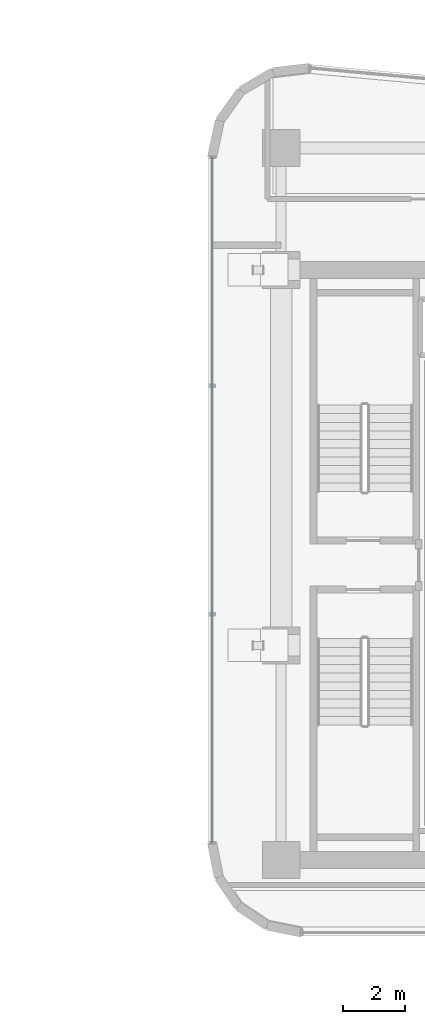
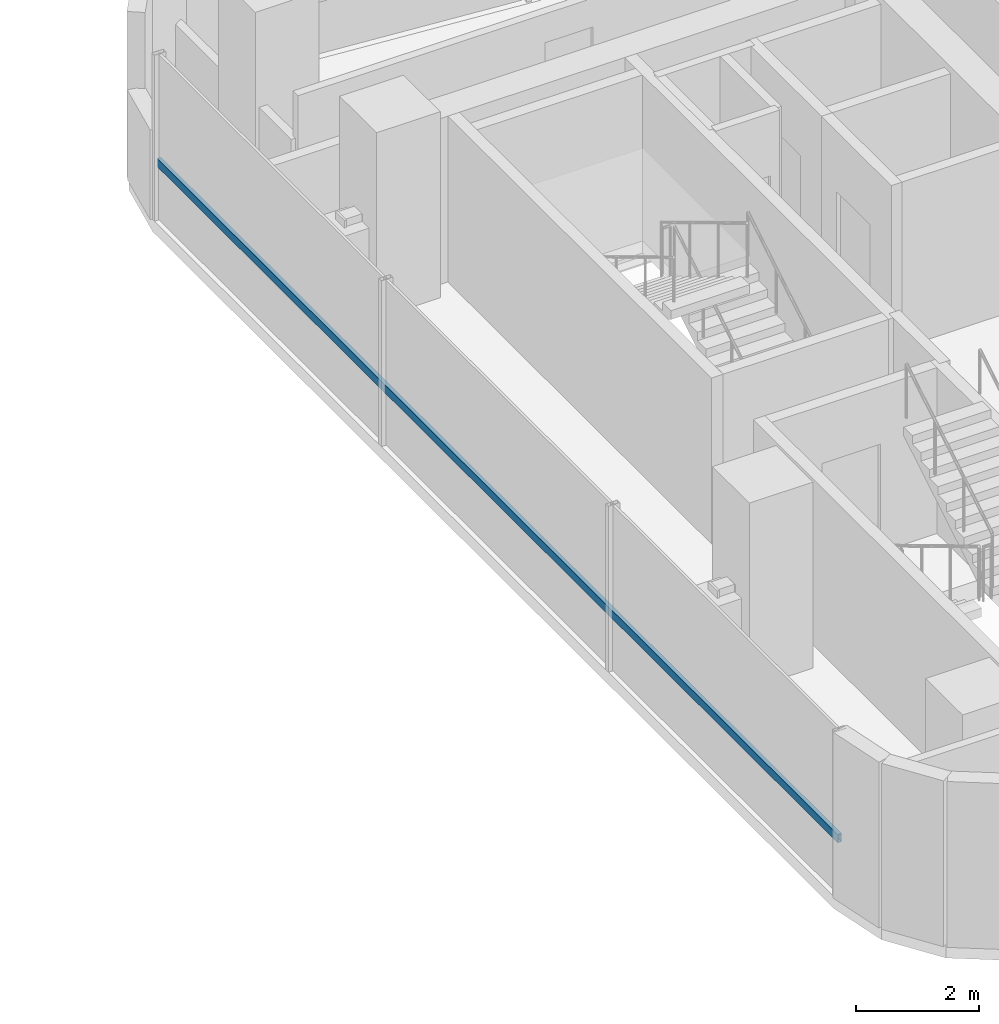
# One storey, part 15 of 35: 1 member, 1 element without a shape of its own.
"""IFC4 building model written with IfcOpenShell, lengths in metres."""

from ifc_helpers import new_model, si_unit, direction, frame, origin, origin_2d, place, context, subcontext, project, spatial, hollow_rectangle, extrude, source, transform, mapped, material, material_profile, profile_set, type_object, element, aggregate, save


model = new_model("IFC4")

# Units and contexts
model_context = context("Model", 3, precision=1e-05, world=origin(), true_north=direction((0.0, 1.0)))
body_context = subcontext(model_context, "Body", "Model", "MODEL_VIEW")
ifc_project = project(units=[si_unit("LENGTHUNIT", "METRE"), si_unit("AREAUNIT", "SQUARE_METRE"), si_unit("VOLUMEUNIT", "CUBIC_METRE"), si_unit("PLANEANGLEUNIT", "RADIAN"), si_unit("MASSUNIT", "GRAM", prefix="KILO")], contexts=[model_context])

# Site, building, storey
site_placement = place(None, origin())
site = spatial("IfcSite", under=ifc_project, at=site_placement, CompositionType="ELEMENT")
building_placement = place(site_placement, origin())
building = spatial("IfcBuilding", under=site, at=building_placement, Name="Valdorenza Pilgrim Sanctuary Tower", CompositionType="ELEMENT")
storey_placement = place(building_placement, frame((0.0, 0.0, 168.60009765625)))
storey = spatial("IfcBuildingStorey", under=building, at=storey_placement, Name="L43", CompositionType="ELEMENT", Elevation=168.60009765625)

# Curtain wall, member
ifc_material_1 = material(Name="Curtain-wall IGU glazing", Category="glass")
curtain_wall_type = type_object("IfcCurtainWallType", Name="CW-SYS-03", PredefinedType="NOTDEFINED", material=ifc_material_1)
curtain_wall_placement = place(storey_placement, origin())
curtain_wall = element("IfcCurtainWall", 1, at=curtain_wall_placement, inside=storey, type_object=curtain_wall_type, Name="L43 Curtain Wall CW-L43-2-1", PredefinedType="NOTDEFINED")
ifc_material_2 = material(Name="Anodised aluminium AW-6060", Category="aluminium")
ifc_material_profile = material_profile(ifc_material_2, hollow_rectangle(XDim=0.074951171875, YDim=0.159912109375, WallThickness=0.00390625, at=origin_2d()), Name="ALU-T 160x75x4")
ifc_profile_set = profile_set([ifc_material_profile], Name="Anodised aluminium AW-6060")
member_type = type_object("IfcMemberType", Name="CW-TRN-03", PredefinedType="USERDEFINED", material=ifc_profile_set)
shared_shape = source(origin(), body_context, "Body", "SweptSolid", [
    extrude(hollow_rectangle(XDim=0.074951171875, YDim=0.159912109375, WallThickness=0.00390625, at=origin_2d()), origin(), (0.0, 0.0, 1.0), 22.18896484375),
])
member_placement = place(storey_placement, frame((13.610107421875, -8.9892578125, 1.119873046875), z_axis=(0.0, 1.0, 0.0), x_axis=(-1.0, 0.0, 0.0)))
member = element("IfcMember", 2, at=member_placement, type_object=member_type, Name="CW-L43-2-1 Transom 1", ObjectType="TRANSOM", PredefinedType="USERDEFINED", context=body_context, shape_type="MappedRepresentation", body=[
    mapped(shared_shape, transform((0.0, 0.0, 0.0), x_axis=(1.0, 0.0, 0.0), y_axis=(0.0, 1.0, 0.0), z_axis=(0.0, 0.0, 1.0), scale=1.0)),
])
aggregate(curtain_wall, [member])

save(model, "model.ifc")
